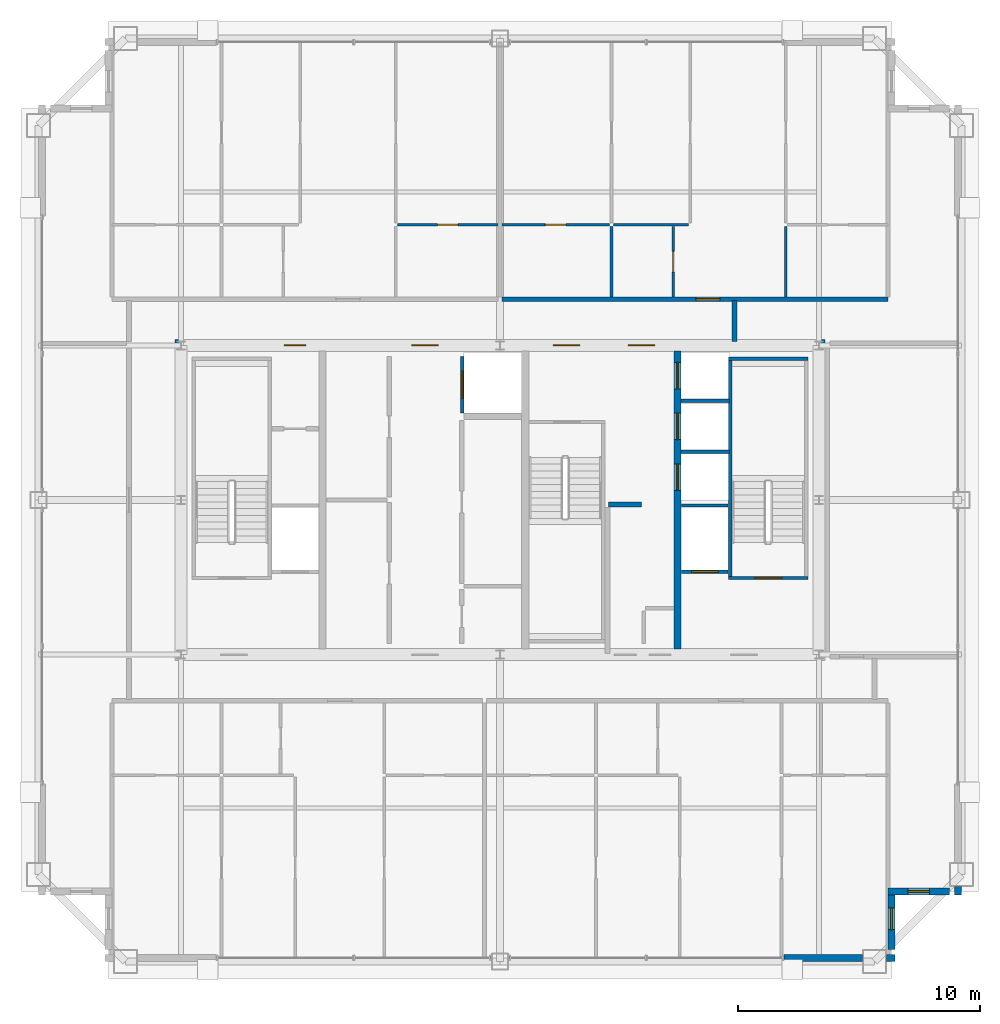
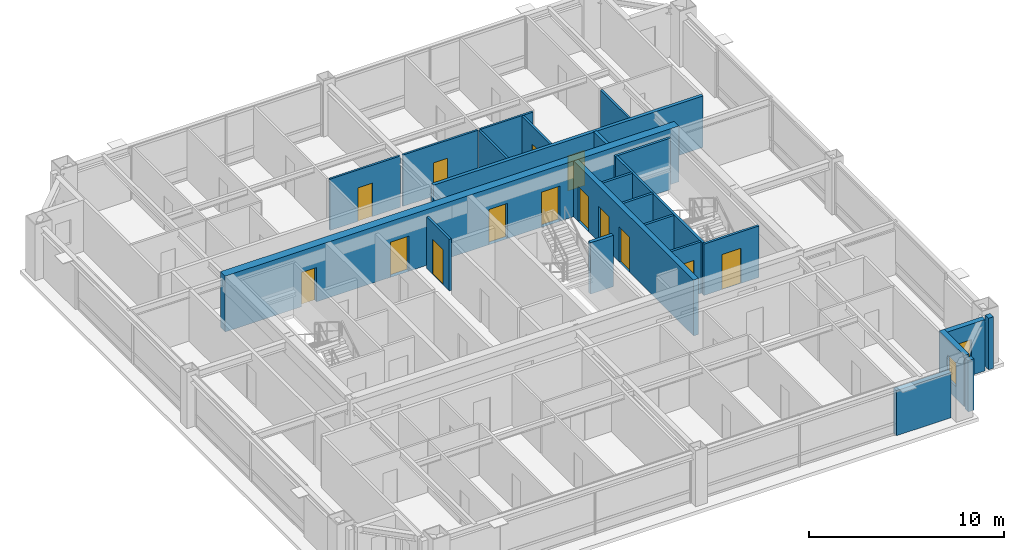
# One storey, part 32 of 35: 24 walls, 14 doors, 2 windows, 16 openings.
"""IFC4 building model written with IfcOpenShell, lengths in metres."""

import ifcopenshell
import ifcopenshell.guid

model = None  # the IFC model being written
_history = None  # IfcOwnerHistory: only IFC2X3 demands one
_inside = {}  # id of a spatial element -> (the spatial element, [elements in it])
_under = {}  # id of a project, library or spatial element -> (it, [spatial elements below it])
_declared = {}  # id of a project -> (the project, [libraries it declares])
_typed = {}  # id of a type object -> (the type object, [elements of that type])
_made_of = {}  # id of a material, layer set ... -> (it, [elements and type objects made of it])


def new_model(schema):
    """Start an empty IFC model of exactly this schema.

    Asked for "IFC4X3", IfcOpenShell would pick the latest addendum, in which some entities
    have other attributes; the version numbers below select the first issue.
    IFC2X3 requires an IfcOwnerHistory on every rooted entity: one is made here for all.
    """
    global model, _history
    if schema == "IFC4X3":
        model = ifcopenshell.file(schema_version=(4, 3, 0, 0))
    else:
        model = ifcopenshell.file(schema=schema)
    _inside.clear()
    _under.clear()
    _declared.clear()
    _typed.clear()
    _made_of.clear()
    _history = None
    if model.schema == "IFC2X3":
        org = make("IfcOrganization", Name="unknown")
        user = make(
            "IfcPersonAndOrganization",
            ThePerson=make("IfcPerson", FamilyName="unknown"),
            TheOrganization=org,
        )
        app = make(
            "IfcApplication",
            ApplicationDeveloper=org,
            Version="unknown",
            ApplicationFullName="unknown",
            ApplicationIdentifier="unknown",
        )
        _history = make(
            "IfcOwnerHistory",
            OwningUser=user,
            OwningApplication=app,
            ChangeAction="ADDED",
            CreationDate=0,
        )
    return model


def make(cls, **values):
    """One entity of the class cls with the attributes given. An attribute that is None is left unset."""
    return model.create_entity(
        cls, **{name: value for name, value in values.items() if value is not None}
    )


def rooted(cls, **values):
    """An entity with a GlobalId (a new one), such as an element, a storey or a relation."""
    return make(cls, GlobalId=ifcopenshell.guid.new(), OwnerHistory=_history, **values)


def si_unit(unit_type, name, prefix=None):
    """IfcSIUnit, for example si_unit("LENGTHUNIT", "METRE", prefix="MILLI")."""
    return make("IfcSIUnit", UnitType=unit_type, Prefix=prefix, Name=name)


def assignment(units):
    """IfcUnitAssignment: the units of a project."""
    return None if units is None else make("IfcUnitAssignment", Units=units)


def point(xyz):
    """IfcCartesianPoint."""
    return None if xyz is None else make("IfcCartesianPoint", Coordinates=xyz)


def direction(xyz):
    """IfcDirection."""
    return None if xyz is None else make("IfcDirection", DirectionRatios=xyz)


def frame(location, z_axis=None, x_axis=None):
    """IfcAxis2Placement3D, a coordinate frame: its origin and axes. An axis left out is left unset."""
    return make(
        "IfcAxis2Placement3D",
        Location=point(location),
        Axis=direction(z_axis),
        RefDirection=direction(x_axis),
    )


def frame_2d(location, x_axis=None):
    """IfcAxis2Placement2D, a coordinate frame in the plane: its origin and x axis."""
    return make(
        "IfcAxis2Placement2D", Location=point(location), RefDirection=direction(x_axis)
    )


def origin():
    """The frame at (0, 0, 0) with its axes left unset."""
    return frame((0.0, 0.0, 0.0))


def place(relative_to, where):
    """IfcLocalPlacement: puts the frame where relative to a parent placement (None: the world)."""
    return make(
        "IfcLocalPlacement", PlacementRelTo=relative_to, RelativePlacement=where
    )


def context(
    kind, dimensions, precision=None, world=None, true_north=None, identifier=None
):
    """IfcGeometricRepresentationContext, for example the 3D "Model" context."""
    return make(
        "IfcGeometricRepresentationContext",
        ContextIdentifier=identifier,
        ContextType=kind,
        CoordinateSpaceDimension=dimensions,
        Precision=precision,
        WorldCoordinateSystem=world,
        TrueNorth=true_north,
    )


def subcontext(parent, identifier, kind, view, scale=None):
    """IfcGeometricRepresentationSubContext, for example "Body" below "Model"."""
    return make(
        "IfcGeometricRepresentationSubContext",
        ContextIdentifier=identifier,
        ContextType=kind,
        ParentContext=parent,
        TargetScale=scale,
        TargetView=view,
    )


def project(units=None, contexts=None):
    """IfcProject with its units and contexts."""
    return rooted(
        "IfcProject",
        Name="project",
        RepresentationContexts=contexts,
        UnitsInContext=assignment(units),
    )


def spatial(cls, under=None, at=None, **own):
    """A site, building, storey or space (cls), placed at a placement, below another one or the project."""
    s = rooted(cls, ObjectPlacement=at, **own)
    if under is not None:
        _under.setdefault(under.id(), (under, []))[1].append(s)
    return s


def profile(cls, at=None, kind="AREA", **sizes):
    """A parametric profile (cls). Its sizes go by their IFC names, for example OverallWidth=200.0."""
    return make(cls, ProfileType=kind, Position=at, **sizes)


def rectangle(**sizes):
    """IfcRectangleProfileDef."""
    return profile("IfcRectangleProfileDef", **sizes)


def extrude(swept, where, along, depth):
    """IfcExtrudedAreaSolid: the profile swept, set in the frame where, extruded along a direction by depth."""
    return make(
        "IfcExtrudedAreaSolid",
        SweptArea=swept,
        Position=where,
        ExtrudedDirection=direction(along),
        Depth=depth,
    )


def shape(context_of_items, identifier, shape_type, items):
    """IfcShapeRepresentation: the items that make up one representation, for example the "Body"."""
    return make(
        "IfcShapeRepresentation",
        ContextOfItems=context_of_items,
        RepresentationIdentifier=identifier,
        RepresentationType=shape_type,
        Items=items,
    )


def source(mapping_origin, context_of_items, identifier, shape_type, items):
    """IfcRepresentationMap: a shape defined once, which mapped items show again and again."""
    return make(
        "IfcRepresentationMap",
        MappingOrigin=mapping_origin,
        MappedRepresentation=shape(context_of_items, identifier, shape_type, items),
    )


def transform(
    local_origin,
    x_axis=None,
    y_axis=None,
    z_axis=None,
    scale=None,
    scale2=None,
    scale3=None,
    uniform=True,
):
    """IfcCartesianTransformationOperator3D, or its non-uniform kind. x_axis, y_axis, z_axis: its Axis1, 2, 3."""
    if uniform:
        return make(
            "IfcCartesianTransformationOperator3D",
            Axis1=direction(x_axis),
            Axis2=direction(y_axis),
            LocalOrigin=point(local_origin),
            Scale=scale,
            Axis3=direction(z_axis),
        )
    return make(
        "IfcCartesianTransformationOperator3DnonUniform",
        Axis1=direction(x_axis),
        Axis2=direction(y_axis),
        LocalOrigin=point(local_origin),
        Scale=scale,
        Axis3=direction(z_axis),
        Scale2=scale2,
        Scale3=scale3,
    )


def mapped(mapping_source, mapping_target):
    """IfcMappedItem: shows the shape of a source again, moved by a transform."""
    return make(
        "IfcMappedItem", MappingSource=mapping_source, MappingTarget=mapping_target
    )


def material(Name=None, Category=None):
    """IfcMaterial."""
    return make("IfcMaterial", Name=Name, Category=Category)


def layer(
    of_material, thickness, ventilated=None, Name=None, Category=None, Priority=None
):
    """IfcMaterialLayer: one layer of a wall or slab, of a material (None: an air gap)."""
    return make(
        "IfcMaterialLayer",
        Material=of_material,
        LayerThickness=thickness,
        IsVentilated=ventilated,
        Name=Name,
        Category=Category,
        Priority=Priority,
    )


def layer_set(layers, Name=None):
    """IfcMaterialLayerSet."""
    return make("IfcMaterialLayerSet", MaterialLayers=layers, LayerSetName=Name)


def made_of(thing, what):
    """Note that an element or type object is made of a material, layer set ...; save() writes the relation."""
    if what is not None:
        _made_of.setdefault(what.id(), (what, []))[1].append(thing)
    return thing


def type_object(cls, material=None, **own):
    """A type object (cls), such as IfcWallType, which elements share."""
    return made_of(rooted(cls, **own), material)


def element(
    cls,
    number,
    at=None,
    inside=None,
    cuts=None,
    type_object=None,
    material=None,
    context=None,
    identifier="Body",
    shape_type=None,
    held_by="IfcProductDefinitionShape",
    body=None,
    shapes=None,
    **own,
):
    """One element of the class cls, such as IfcWall. Its Tag is "e" and its number.

    at: its placement. inside: the storey or other place that contains it. cuts: it is an
    opening in that element (IfcRelVoidsElement). A single representation is given by context,
    identifier, shape_type and body (its items); several are given by shapes. held_by: the class
    of the entity that holds the representations. save() writes the other relations.
    """
    e = rooted(cls, Tag="e%d" % number, ObjectPlacement=at, **own)
    if body is not None:
        shapes = [shape(context, identifier, shape_type, body)]
    if shapes is not None:
        e.Representation = make(held_by, Representations=shapes)
    if inside is not None:
        _inside.setdefault(inside.id(), (inside, []))[1].append(e)
    if cuts is not None:
        rooted(
            "IfcRelVoidsElement", RelatingBuildingElement=cuts, RelatedOpeningElement=e
        )
    if type_object is not None:
        _typed.setdefault(type_object.id(), (type_object, []))[1].append(e)
    return made_of(e, material)


def fill(opening, filler):
    """IfcRelFillsElement: the door or window that sits in an opening."""
    return rooted(
        "IfcRelFillsElement",
        RelatingOpeningElement=opening,
        RelatedBuildingElement=filler,
    )


def aggregate(whole, parts):
    """IfcRelAggregates: a whole, such as a stair, and the parts it consists of."""
    return rooted("IfcRelAggregates", RelatingObject=whole, RelatedObjects=parts)


def save(model, path):
    """Write the relations noted so far, then the file.

    IfcRelAggregates (storeys below a building ...), IfcRelContainedInSpatialStructure (elements
    in a storey), IfcRelDefinesByType, IfcRelAssociatesMaterial and IfcRelDeclares: one each for
    every whole, place, type object, material and project.
    """
    for whole, parts in _under.values():
        aggregate(whole, parts)
    for where, things in _inside.values():
        rooted(
            "IfcRelContainedInSpatialStructure",
            RelatedElements=things,
            RelatingStructure=where,
        )
    for kind, things in _typed.values():
        rooted("IfcRelDefinesByType", RelatedObjects=things, RelatingType=kind)
    for what, things in _made_of.values():
        rooted("IfcRelAssociatesMaterial", RelatedObjects=things, RelatingMaterial=what)
    for by, libraries in _declared.values():
        rooted("IfcRelDeclares", RelatingContext=by, RelatedDefinitions=libraries)
    model.write(path)


model = new_model("IFC4")

# Units and contexts
model_context = context("Model", 3, precision=1e-05, world=origin(), true_north=direction((0.0, 1.0)))
body_context = subcontext(model_context, "Body", "Model", "MODEL_VIEW")
ifc_project = project(units=[si_unit("LENGTHUNIT", "METRE"), si_unit("AREAUNIT", "SQUARE_METRE"), si_unit("VOLUMEUNIT", "CUBIC_METRE"), si_unit("PLANEANGLEUNIT", "RADIAN"), si_unit("MASSUNIT", "GRAM", prefix="KILO"), si_unit("THERMODYNAMICTEMPERATUREUNIT", "KELVIN"), si_unit("POWERUNIT", "WATT")], contexts=[model_context])

# Site, building, storey
site_placement = place(None, origin())
site = spatial("IfcSite", under=ifc_project, at=site_placement, CompositionType="ELEMENT")
building_placement = place(site_placement, origin())
building = spatial("IfcBuilding", under=site, at=building_placement, Name="Yuzanri Waterfront Tower", CompositionType="ELEMENT")
storey_placement = place(building_placement, frame((0.0, 0.0, 303.10009765625)))
storey = spatial("IfcBuildingStorey", under=building, at=storey_placement, Name="L81", CompositionType="ELEMENT", Elevation=303.10009765625)

# Wall, opening, door
ifc_material_1 = material(Name="Moisture-Resistant Gypsum Stud Wall", Category="gypsum")
ifc_layer_1 = layer(ifc_material_1, 0.1201171875)
ifc_layer_set_1 = layer_set([ifc_layer_1], Name="Moisture-Resistant Gypsum Stud Wall")
wall_type_1 = type_object("IfcWallType", Name="Bathroom and Kitchen Wet Partition 120", PredefinedType="PARTITIONING", material=ifc_layer_set_1)
wall_1_placement = place(storey_placement, frame((32.764892578125, 37.18994140625, 0.0), z_axis=(0.0, 0.0, 1.0), x_axis=(1.0, 0.0, 0.0)))
wall_1 = element("IfcWall", 1, at=wall_1_placement, inside=storey, type_object=wall_type_1, Name="L81 Partition UW-L81-HN1-SUB-3-N", PredefinedType="PARTITIONING", context=body_context, shape_type="SweptSolid", body=[
    extrude(rectangle(XDim=4.155029296875, YDim=0.1201171875, at=frame_2d((2.07763671875, 0.0))), origin(), (0.0, 0.0, 1.0), 3.219970703125),
])
opening_1_placement = place(wall_1_placement, frame((1.652587890625, 0.0, 0.0)))
opening_1 = element("IfcOpeningElement", 2, at=opening_1_placement, cuts=wall_1, Name="Opening ID-0850", PredefinedType="OPENING", context=body_context, shape_type="SweptSolid", body=[
    extrude(rectangle(XDim=0.85009765625, YDim=2.10009765625, at=frame_2d((0.425048828125, 1.050048828125))), frame((0.0, 0.074951171875, 0.0), z_axis=(0.0, -1.0, 0.0), x_axis=(1.0, 0.0, 0.0)), (0.0, 0.0, 1.0), 0.14990234375),
])
ifc_material_2 = material(Name="Moisture-Resistant Lacquered Timber", Category="wood")
door_type_1 = type_object("IfcDoorType", Name="En-Suite Bathroom and Kitchen Swing Door 850x2100", OperationType="NOTDEFINED", PredefinedType="DOOR", material=ifc_material_2)
shared_shape_1 = source(origin(), body_context, "Body", "SweptSolid", [
    extrude(rectangle(XDim=0.85009765625, YDim=2.10009765625, at=frame_2d((0.425048828125, 1.050048828125))), frame((0.0, 0.02490234375, 0.0), z_axis=(0.0, -1.0, 0.0), x_axis=(1.0, 0.0, 0.0)), (0.0, 0.0, 1.0), 0.050048828125),
])
door_1_placement = place(opening_1_placement, origin())
door_1 = element("IfcDoor", 3, at=door_1_placement, inside=storey, type_object=door_type_1, Name="L81 Suite Interior Room Door", OperationType="SINGLE_SWING_LEFT", OverallHeight=2.10009765625, OverallWidth=0.85009765625, PredefinedType="DOOR", context=body_context, shape_type="MappedRepresentation", body=[
    mapped(shared_shape_1, transform((0.0, 0.0, 0.0), scale=1.0)),
])
fill(opening_1, door_1)

wall_2_placement = place(storey_placement, frame((37.080078125, 37.18994140625, 0.0), z_axis=(0.0, 0.0, 1.0), x_axis=(1.0, 0.0, 0.0)))
wall_2 = element("IfcWall", 4, at=wall_2_placement, inside=storey, type_object=wall_type_1, Name="L81 Partition UW-L81-HN2-SUB-1-N", PredefinedType="PARTITIONING", context=body_context, shape_type="SweptSolid", body=[
    extrude(rectangle(XDim=4.449951171875, YDim=0.1201171875, at=frame_2d((2.22509765625, 0.0))), origin(), (0.0, 0.0, 1.0), 3.219970703125),
])
opening_2_placement = place(wall_2_placement, frame((1.800048828125, 0.0, 0.0)))
opening_2 = element("IfcOpeningElement", 5, at=opening_2_placement, cuts=wall_2, Name="Opening ID-0850", PredefinedType="OPENING", context=body_context, shape_type="SweptSolid", body=[
    extrude(rectangle(XDim=0.85009765625, YDim=2.10009765625, at=frame_2d((0.425048828125, 1.050048828125))), frame((0.0, 0.074951171875, 0.0), z_axis=(0.0, -1.0, 0.0), x_axis=(1.0, 0.0, 0.0)), (0.0, 0.0, 1.0), 0.14990234375),
])
door_2_placement = place(opening_2_placement, origin())
door_2 = element("IfcDoor", 6, at=door_2_placement, inside=storey, type_object=door_type_1, Name="L81 Suite Interior Room Door", OperationType="SINGLE_SWING_RIGHT", OverallHeight=2.10009765625, OverallWidth=0.85009765625, PredefinedType="DOOR", context=body_context, shape_type="MappedRepresentation", body=[
    mapped(shared_shape_1, transform((0.0, 0.0, 0.0), scale=1.0)),
])
fill(opening_2, door_2)

wall_3_placement = place(storey_placement, frame((44.169921875, 34.2099609375, 0.0), z_axis=(0.0, 0.0, 1.0), x_axis=(0.0, 1.0, 0.0)))
wall_3 = element("IfcWall", 7, at=wall_3_placement, inside=storey, type_object=wall_type_1, Name="L81 Partition UW-L81-HN2-SUB-2-E", PredefinedType="PARTITIONING", context=body_context, shape_type="SweptSolid", body=[
    extrude(rectangle(XDim=2.900146484375, YDim=0.1201171875, at=frame_2d((1.4501953125, 0.0))), origin(), (0.0, 0.0, 1.0), 3.219970703125),
])
opening_3_placement = place(wall_3_placement, frame((1.02490234375, 0.0, 0.0)))
opening_3 = element("IfcOpeningElement", 8, at=opening_3_placement, cuts=wall_3, Name="Opening ID-0850", PredefinedType="OPENING", context=body_context, shape_type="SweptSolid", body=[
    extrude(rectangle(XDim=0.85009765625, YDim=2.10009765625, at=frame_2d((0.425048828125, 1.050048828125))), frame((0.0, 0.074951171875, 0.0), z_axis=(0.0, -1.0, 0.0), x_axis=(1.0, 0.0, 0.0)), (0.0, 0.0, 1.0), 0.14990234375),
])
door_3_placement = place(opening_3_placement, origin())
door_3 = element("IfcDoor", 9, at=door_3_placement, inside=storey, type_object=door_type_1, Name="L81 Suite Interior Room Door", OperationType="SINGLE_SWING_LEFT", OverallHeight=2.10009765625, OverallWidth=0.85009765625, PredefinedType="DOOR", context=body_context, shape_type="MappedRepresentation", body=[
    mapped(shared_shape_1, transform((0.0, 0.0, 0.0), scale=1.0)),
])
fill(opening_3, door_3)

# Wall, opening, window
ifc_material_3 = material(Name="Honed Chongqing Dark Basalt Stone", Category="masonry")
ifc_layer_2 = layer(ifc_material_3, 0.300048828125)
ifc_layer_set_2 = layer_set([ifc_layer_2], Name="Honed Chongqing Dark Basalt Stone")
wall_type_2 = type_object("IfcWallType", Name="Bronze Rainscreen Insulated Spandrel Portal Wall 300", PredefinedType="SOLIDWALL", material=ifc_layer_set_2)
wall_4_placement = place(storey_placement, frame((53.050048828125, 9.60009765625, 0.0), z_axis=(0.0, 0.0, 1.0), x_axis=(1.0, 0.0, 0.0)))
wall_4 = element("IfcWall", 10, at=wall_4_placement, inside=storey, type_object=wall_type_2, Name="L81 Notched Corner Masonry Wall SE-X", PredefinedType="SOLIDWALL", context=body_context, shape_type="SweptSolid", body=[
    extrude(rectangle(XDim=2.550048828125, YDim=0.300048828125, at=frame_2d((1.27490234375, 0.0))), origin(), (0.0, 0.0, 1.0), 3.219970703125),
])
opening_4_placement = place(wall_4_placement, frame((0.824951171875, 0.0, 0.75)))
opening_4 = element("IfcOpeningElement", 11, at=opening_4_placement, cuts=wall_4, Name="Opening WN-05", PredefinedType="OPENING", context=body_context, shape_type="SweptSolid", body=[
    extrude(rectangle(XDim=0.89990234375, YDim=1.5, at=frame_2d((0.449951171875, 0.75))), frame((0.0, 0.1650390625, 0.0), z_axis=(0.0, -1.0, 0.0), x_axis=(1.0, 0.0, 0.0)), (0.0, 0.0, 1.0), 0.329833984375),
])
ifc_material_4 = material(Name="Double-Silver Low-E Insulated Glass", Category="glass")
window_type = type_object("IfcWindowType", Name="Anodized Bronze Service and Stairwell Smoke-Vent Window 900x1500", PartitioningType="SINGLE_PANEL", PredefinedType="WINDOW", material=ifc_material_4)
shared_shape_2 = source(origin(), body_context, "Body", "SweptSolid", [
    extrude(rectangle(XDim=0.89990234375, YDim=1.5, at=frame_2d((0.449951171875, 0.75))), frame((0.0, 0.030029296875, 0.0), z_axis=(0.0, -1.0, 0.0), x_axis=(1.0, 0.0, 0.0)), (0.0, 0.0, 1.0), 0.06005859375),
])
window_1_placement = place(opening_4_placement, origin())
window_1 = element("IfcWindow", 12, at=window_1_placement, inside=storey, type_object=window_type, Name="L81 Notched Corner Window SE-X", OverallHeight=1.5, OverallWidth=0.89990234375, PartitioningType="SINGLE_PANEL", PredefinedType="WINDOW", context=body_context, shape_type="MappedRepresentation", body=[
    mapped(shared_shape_2, transform((0.0, 0.0, 0.0), scale=1.0)),
])
fill(opening_4, window_1)

wall_5_placement = place(storey_placement, frame((53.199951171875, 7.199951171875, 0.0), z_axis=(0.0, 0.0, 1.0), x_axis=(0.0, 1.0, 0.0)))
wall_5 = element("IfcWall", 13, at=wall_5_placement, inside=storey, type_object=wall_type_2, Name="L81 Notched Corner Masonry Wall SE-Y", PredefinedType="SOLIDWALL", context=body_context, shape_type="SweptSolid", body=[
    extrude(rectangle(XDim=2.550048828125, YDim=0.300048828125, at=frame_2d((1.27490234375, 0.0))), origin(), (0.0, 0.0, 1.0), 3.219970703125),
])
opening_5_placement = place(wall_5_placement, frame((0.824951171875, 0.0, 0.75)))
opening_5 = element("IfcOpeningElement", 14, at=opening_5_placement, cuts=wall_5, Name="Opening WN-05", PredefinedType="OPENING", context=body_context, shape_type="SweptSolid", body=[
    extrude(rectangle(XDim=0.89990234375, YDim=1.5, at=frame_2d((0.449951171875, 0.75))), frame((0.0, 0.1650390625, 0.0), z_axis=(0.0, -1.0, 0.0), x_axis=(1.0, 0.0, 0.0)), (0.0, 0.0, 1.0), 0.329833984375),
])
window_2_placement = place(opening_5_placement, origin())
window_2 = element("IfcWindow", 15, at=window_2_placement, inside=storey, type_object=window_type, Name="L81 Notched Corner Window SE-Y", OverallHeight=1.5, OverallWidth=0.89990234375, PartitioningType="SINGLE_PANEL", PredefinedType="WINDOW", context=body_context, shape_type="MappedRepresentation", body=[
    mapped(shared_shape_2, transform((0.0, 0.0, 0.0), scale=1.0)),
])
fill(opening_5, window_2)

# Wall, openings, doors
ifc_material_5 = material(Name="Concrete C45", Category="concrete")
ifc_layer_3 = layer(ifc_material_5, 0.47998046875)
ifc_layer_set_3 = layer_set([ifc_layer_3], Name="Concrete C45")
wall_type_3 = type_object("IfcWallType", Name="Concrete C45 High-Rise Core Shear Wall 480", PredefinedType="SHEAR", material=ifc_layer_set_3)
wall_6_placement = place(storey_placement, frame((23.56005859375, 32.199951171875, 0.0), z_axis=(0.0, 0.0, 1.0), x_axis=(1.0, 0.0, 0.0)))
wall_6 = element("IfcWall", 16, at=wall_6_placement, inside=storey, type_object=wall_type_3, Name="L81 Core North Shear Wall", PredefinedType="SHEAR", context=body_context, shape_type="SweptSolid", body=[
    extrude(rectangle(XDim=26.8798828125, YDim=0.47998046875, at=frame_2d((13.43994140625, 0.0))), origin(), (0.0, 0.0, 1.0), 3.5),
])
opening_6_placement = place(wall_6_placement, frame((4.510009765625, 0.0, 0.0)))
opening_6 = element("IfcOpeningElement", 17, at=opening_6_placement, cuts=wall_6, Name="Opening FD-0900", PredefinedType="OPENING", context=body_context, shape_type="SweptSolid", body=[
    extrude(rectangle(XDim=0.89990234375, YDim=2.14990234375, at=frame_2d((0.449951171875, 1.074951171875))), frame((0.0, 0.2548828125, 0.0), z_axis=(0.0, -1.0, 0.0), x_axis=(1.0, 0.0, 0.0)), (0.0, 0.0, 1.0), 0.509765625),
])
opening_7_placement = place(wall_6_placement, frame((9.7900390625, 0.0, 0.0)))
opening_7 = element("IfcOpeningElement", 18, at=opening_7_placement, cuts=wall_6, Name="Opening FD-1100", PredefinedType="OPENING", context=body_context, shape_type="SweptSolid", body=[
    extrude(rectangle(XDim=1.10009765625, YDim=2.199951171875, at=frame_2d((0.550048828125, 1.10009765625))), frame((0.0, 0.2548828125, 0.0), z_axis=(0.0, -1.0, 0.0), x_axis=(1.0, 0.0, 0.0)), (0.0, 0.0, 1.0), 0.509765625),
])
opening_8_placement = place(wall_6_placement, frame((15.639892578125, 0.0, 0.0)))
opening_8 = element("IfcOpeningElement", 19, at=opening_8_placement, cuts=wall_6, Name="Opening FD-1100", PredefinedType="OPENING", context=body_context, shape_type="SweptSolid", body=[
    extrude(rectangle(XDim=1.10009765625, YDim=2.199951171875, at=frame_2d((0.550048828125, 1.10009765625))), frame((0.0, 0.2548828125, 0.0), z_axis=(0.0, -1.0, 0.0), x_axis=(1.0, 0.0, 0.0)), (0.0, 0.0, 1.0), 0.509765625),
])
opening_9_placement = place(wall_6_placement, frame((18.739990234375, 0.0, 0.0)))
opening_9 = element("IfcOpeningElement", 20, at=opening_9_placement, cuts=wall_6, Name="Opening FD-1100", PredefinedType="OPENING", context=body_context, shape_type="SweptSolid", body=[
    extrude(rectangle(XDim=1.10009765625, YDim=2.199951171875, at=frame_2d((0.550048828125, 1.10009765625))), frame((0.0, 0.2548828125, 0.0), z_axis=(0.0, -1.0, 0.0), x_axis=(1.0, 0.0, 0.0)), (0.0, 0.0, 1.0), 0.509765625),
])
ifc_material_6 = material(Name="Painted Galvanized Fire Steel", Category="steel")
door_type_2 = type_object("IfcDoorType", Name="Smoke-Proof Stair and Lobby Fire Door 1100x2200", OperationType="NOTDEFINED", PredefinedType="DOOR", material=ifc_material_6)
shared_shape_3 = source(origin(), body_context, "Body", "SweptSolid", [
    extrude(rectangle(XDim=1.10009765625, YDim=2.199951171875, at=frame_2d((0.550048828125, 1.10009765625))), frame((0.0, 0.02490234375, 0.0), z_axis=(0.0, -1.0, 0.0), x_axis=(1.0, 0.0, 0.0)), (0.0, 0.0, 1.0), 0.050048828125),
])
door_4_placement = place(opening_7_placement, origin())
door_4 = element("IfcDoor", 21, at=door_4_placement, inside=storey, type_object=door_type_2, Name="L81 Central Lift Lobby North Door", OperationType="SINGLE_SWING_LEFT", OverallHeight=2.199951171875, OverallWidth=1.10009765625, PredefinedType="DOOR", context=body_context, shape_type="MappedRepresentation", body=[
    mapped(shared_shape_3, transform((0.0, 0.0, 0.0), scale=1.0)),
])
fill(opening_7, door_4)
door_5_placement = place(opening_8_placement, origin())
door_5 = element("IfcDoor", 22, at=door_5_placement, inside=storey, type_object=door_type_2, Name="L81 North Stair Lobby Door", OperationType="SINGLE_SWING_RIGHT", OverallHeight=2.199951171875, OverallWidth=1.10009765625, PredefinedType="DOOR", context=body_context, shape_type="MappedRepresentation", body=[
    mapped(shared_shape_3, transform((0.0, 0.0, 0.0), scale=1.0)),
])
fill(opening_8, door_5)
door_6_placement = place(opening_9_placement, origin())
door_6 = element("IfcDoor", 23, at=door_6_placement, inside=storey, type_object=door_type_2, Name="L81 High-Rise Lift Lobby North Door", OperationType="SINGLE_SWING_LEFT", OverallHeight=2.199951171875, OverallWidth=1.10009765625, PredefinedType="DOOR", context=body_context, shape_type="MappedRepresentation", body=[
    mapped(shared_shape_3, transform((0.0, 0.0, 0.0), scale=1.0)),
])
fill(opening_9, door_6)
ifc_material_7 = material(Name="Painted Galvanized Fire Steel", Category="steel")
door_type_3 = type_object("IfcDoorType", Name="Riser and Service Room Fire Door 900x2150", OperationType="NOTDEFINED", PredefinedType="DOOR", material=ifc_material_7)
shared_shape_4 = source(origin(), body_context, "Body", "SweptSolid", [
    extrude(rectangle(XDim=0.89990234375, YDim=2.14990234375, at=frame_2d((0.449951171875, 1.074951171875))), frame((0.0, 0.02490234375, 0.0), z_axis=(0.0, -1.0, 0.0), x_axis=(1.0, 0.0, 0.0)), (0.0, 0.0, 1.0), 0.050048828125),
])
door_7_placement = place(opening_6_placement, origin())
door_7 = element("IfcDoor", 24, at=door_7_placement, inside=storey, type_object=door_type_3, Name="L81 Telecom Riser Door", OperationType="SINGLE_SWING_RIGHT", OverallHeight=2.14990234375, OverallWidth=0.89990234375, PredefinedType="DOOR", context=body_context, shape_type="MappedRepresentation", body=[
    mapped(shared_shape_4, transform((0.0, 0.0, 0.0), scale=1.0)),
])
fill(opening_6, door_7)

ifc_material_8 = material(Name="Concrete C50", Category="concrete")
ifc_layer_4 = layer(ifc_material_8, 0.300048828125)
ifc_layer_set_4 = layer_set([ifc_layer_4], Name="Concrete C50")
wall_type_4 = type_object("IfcWallType", Name="Concrete C50 Internal Core Shaft Structural Wall 300", PredefinedType="SOLIDWALL", material=ifc_layer_set_4)
wall_7_placement = place(storey_placement, frame((44.35009765625, 19.639892578125, 0.0), z_axis=(0.0, 0.0, 1.0), x_axis=(0.0, 1.0, 0.0)))
wall_7 = element("IfcWall", 25, at=wall_7_placement, inside=storey, type_object=wall_type_4, Name="L81 Core Internal Structural Web Wall 3", PredefinedType="SOLIDWALL", context=body_context, shape_type="SweptSolid", body=[
    extrude(rectangle(XDim=12.320068359375, YDim=0.300048828125, at=frame_2d((6.16015625, 0.0))), origin(), (0.0, 0.0, 1.0), 3.5),
])
opening_10_placement = place(wall_7_placement, frame((6.56005859375, 0.0, 0.0)))
opening_10 = element("IfcOpeningElement", 26, at=opening_10_placement, cuts=wall_7, Name="Opening LD-PL-09", PredefinedType="OPENING", context=body_context, shape_type="SweptSolid", body=[
    extrude(rectangle(XDim=1.10009765625, YDim=2.199951171875, at=frame_2d((0.550048828125, 1.10009765625))), frame((0.0, 0.1650390625, 0.0), z_axis=(0.0, -1.0, 0.0), x_axis=(1.0, 0.0, 0.0)), (0.0, 0.0, 1.0), 0.329833984375),
])
opening_11_placement = place(wall_7_placement, frame((8.659912109375, 0.0, 0.0)))
opening_11 = element("IfcOpeningElement", 27, at=opening_11_placement, cuts=wall_7, Name="Opening LD-PL-10", PredefinedType="OPENING", context=body_context, shape_type="SweptSolid", body=[
    extrude(rectangle(XDim=1.10009765625, YDim=2.199951171875, at=frame_2d((0.550048828125, 1.10009765625))), frame((0.0, 0.1650390625, 0.0), z_axis=(0.0, -1.0, 0.0), x_axis=(1.0, 0.0, 0.0)), (0.0, 0.0, 1.0), 0.329833984375),
])
opening_12_placement = place(wall_7_placement, frame((10.760009765625, 0.0, 0.0)))
opening_12 = element("IfcOpeningElement", 28, at=opening_12_placement, cuts=wall_7, Name="Opening LD-PL-11", PredefinedType="OPENING", context=body_context, shape_type="SweptSolid", body=[
    extrude(rectangle(XDim=1.10009765625, YDim=2.199951171875, at=frame_2d((0.550048828125, 1.10009765625))), frame((0.0, 0.1650390625, 0.0), z_axis=(0.0, -1.0, 0.0), x_axis=(1.0, 0.0, 0.0)), (0.0, 0.0, 1.0), 0.329833984375),
])
ifc_material_9 = material(Name="Brushed Bronze and Stainless Steel Cab", Category="steel")
door_type_4 = type_object("IfcDoorType", Name="Center-Parting Bronze Lift Landing Sliding Door 1100x2200", OperationType="NOTDEFINED", PredefinedType="DOOR", material=ifc_material_9)
shared_shape_5 = source(origin(), body_context, "Body", "SweptSolid", [
    extrude(rectangle(XDim=1.10009765625, YDim=2.199951171875, at=frame_2d((0.550048828125, 1.10009765625))), frame((0.0, 0.02490234375, 0.0), z_axis=(0.0, -1.0, 0.0), x_axis=(1.0, 0.0, 0.0)), (0.0, 0.0, 1.0), 0.050048828125),
])
door_8_placement = place(opening_10_placement, origin())
door_8 = element("IfcDoor", 29, at=door_8_placement, inside=storey, type_object=door_type_4, Name="L81 PL-09 Lift Landing Sliding Door", OperationType="SLIDING_TO_LEFT", OverallHeight=2.199951171875, OverallWidth=1.10009765625, PredefinedType="DOOR", context=body_context, shape_type="MappedRepresentation", body=[
    mapped(shared_shape_5, transform((0.0, 0.0, 0.0), scale=1.0)),
])
fill(opening_10, door_8)
door_9_placement = place(opening_11_placement, origin())
door_9 = element("IfcDoor", 30, at=door_9_placement, inside=storey, type_object=door_type_4, Name="L81 PL-10 Lift Landing Sliding Door", OperationType="SLIDING_TO_RIGHT", OverallHeight=2.199951171875, OverallWidth=1.10009765625, PredefinedType="DOOR", context=body_context, shape_type="MappedRepresentation", body=[
    mapped(shared_shape_5, transform((0.0, 0.0, 0.0), scale=1.0)),
])
fill(opening_11, door_9)
door_10_placement = place(opening_12_placement, origin())
door_10 = element("IfcDoor", 31, at=door_10_placement, inside=storey, type_object=door_type_4, Name="L81 PL-11 Lift Landing Sliding Door", OperationType="SLIDING_TO_LEFT", OverallHeight=2.199951171875, OverallWidth=1.10009765625, PredefinedType="DOOR", context=body_context, shape_type="MappedRepresentation", body=[
    mapped(shared_shape_5, transform((0.0, 0.0, 0.0), scale=1.0)),
])
fill(opening_12, door_10)

# Wall, opening, door
ifc_material_10 = material(Name="Concrete C40", Category="concrete")
ifc_layer_5 = layer(ifc_material_10, 0.139892578125)
ifc_layer_set_5 = layer_set([ifc_layer_5], Name="Concrete C40")
wall_type_5 = type_object("IfcWallType", Name="Core Stair Liner and Hoistway Shaft Wall 140", PredefinedType="SOLIDWALL", material=ifc_layer_set_5)
wall_8_placement = place(storey_placement, frame((44.52001953125, 22.830078125, 0.0), z_axis=(0.0, 0.0, 1.0), x_axis=(1.0, 0.0, 0.0)))
wall_8 = element("IfcWall", 32, at=wall_8_placement, inside=storey, type_object=wall_type_5, Name="L81 Lift FL-02 Front Shaft Wall", PredefinedType="SOLIDWALL", context=body_context, shape_type="SweptSolid", body=[
    extrude(rectangle(XDim=1.919921875, YDim=0.139892578125, at=frame_2d((0.9599609375, 0.0))), origin(), (0.0, 0.0, 1.0), 3.219970703125),
])
opening_13_placement = place(wall_8_placement, frame((0.409912109375, 0.0, 0.0)))
opening_13 = element("IfcOpeningElement", 33, at=opening_13_placement, cuts=wall_8, Name="Opening LD-FL-02", PredefinedType="OPENING", context=body_context, shape_type="SweptSolid", body=[
    extrude(rectangle(XDim=1.10009765625, YDim=2.199951171875, at=frame_2d((0.550048828125, 1.10009765625))), frame((0.0, 0.0849609375, 0.0), z_axis=(0.0, -1.0, 0.0), x_axis=(1.0, 0.0, 0.0)), (0.0, 0.0, 1.0), 0.169677734375),
])
door_11_placement = place(opening_13_placement, origin())
door_11 = element("IfcDoor", 34, at=door_11_placement, inside=storey, type_object=door_type_4, Name="L81 FL-02 Lift Landing Sliding Door", OperationType="SLIDING_TO_RIGHT", OverallHeight=2.199951171875, OverallWidth=1.10009765625, PredefinedType="DOOR", context=body_context, shape_type="MappedRepresentation", body=[
    mapped(shared_shape_5, transform((0.0, 0.0, 0.0), scale=1.0)),
])
fill(opening_13, door_11)

wall_9_placement = place(storey_placement, frame((35.429931640625, 29.39990234375, 0.0), z_axis=(0.0, 0.0, 1.0), x_axis=(0.0, 1.0, 0.0)))
wall_9 = element("IfcWall", 35, at=wall_9_placement, inside=storey, type_object=wall_type_5, Name="L81 Lift SL-02 Front Shaft Wall", PredefinedType="SOLIDWALL", context=body_context, shape_type="SweptSolid", body=[
    extrude(rectangle(XDim=2.340087890625, YDim=0.139892578125, at=frame_2d((1.169921875, 0.0))), origin(), (0.0, 0.0, 1.0), 3.219970703125),
])
opening_14_placement = place(wall_9_placement, frame((0.6201171875, 0.0, 0.0)))
opening_14 = element("IfcOpeningElement", 36, at=opening_14_placement, cuts=wall_9, Name="Opening LD-SL-02", PredefinedType="OPENING", context=body_context, shape_type="SweptSolid", body=[
    extrude(rectangle(XDim=1.10009765625, YDim=2.199951171875, at=frame_2d((0.550048828125, 1.10009765625))), frame((0.0, 0.0849609375, 0.0), z_axis=(0.0, -1.0, 0.0), x_axis=(1.0, 0.0, 0.0)), (0.0, 0.0, 1.0), 0.169677734375),
])
door_12_placement = place(opening_14_placement, origin())
door_12 = element("IfcDoor", 37, at=door_12_placement, inside=storey, type_object=door_type_4, Name="L81 SL-02 Lift Landing Sliding Door", OperationType="SLIDING_TO_RIGHT", OverallHeight=2.199951171875, OverallWidth=1.10009765625, PredefinedType="DOOR", context=body_context, shape_type="MappedRepresentation", body=[
    mapped(shared_shape_5, transform((0.0, 0.0, 0.0), scale=1.0)),
])
fill(opening_14, door_12)

wall_10_placement = place(storey_placement, frame((46.4599609375, 22.570068359375, 0.0), z_axis=(0.0, 0.0, 1.0), x_axis=(1.0, 0.0, 0.0)))
wall_10 = element("IfcWall", 38, at=wall_10_placement, inside=storey, type_object=wall_type_5, Name="L81 Shaft Wall STW-L81-ST-02-S", PredefinedType="SOLIDWALL", context=body_context, shape_type="SweptSolid", body=[
    extrude(rectangle(XDim=3.280029296875, YDim=0.139892578125, at=frame_2d((1.64013671875, 0.0))), origin(), (0.0, 0.0, 1.0), 3.219970703125),
])
opening_15_placement = place(wall_10_placement, frame((1.090087890625, 0.0, 0.0)))
opening_15 = element("IfcOpeningElement", 39, at=opening_15_placement, cuts=wall_10, Name="Opening FD-1100", PredefinedType="OPENING", context=body_context, shape_type="SweptSolid", body=[
    extrude(rectangle(XDim=1.10009765625, YDim=2.199951171875, at=frame_2d((0.550048828125, 1.10009765625))), frame((0.0, 0.0849609375, 0.0), z_axis=(0.0, -1.0, 0.0), x_axis=(1.0, 0.0, 0.0)), (0.0, 0.0, 1.0), 0.169677734375),
])
door_13_placement = place(opening_15_placement, origin())
door_13 = element("IfcDoor", 40, at=door_13_placement, inside=storey, type_object=door_type_2, Name="L81 Stair ST-02 Fire Door", OperationType="SINGLE_SWING_LEFT", OverallHeight=2.199951171875, OverallWidth=1.10009765625, PredefinedType="DOOR", context=body_context, shape_type="MappedRepresentation", body=[
    mapped(shared_shape_3, transform((0.0, 0.0, 0.0), scale=1.0)),
])
fill(opening_15, door_13)

ifc_material_11 = material(Name="Autoclaved Aerated Concrete Blockwork", Category="masonry")
ifc_layer_6 = layer(ifc_material_11, 0.199951171875)
ifc_layer_set_6 = layer_set([ifc_layer_6], Name="Autoclaved Aerated Concrete Blockwork")
wall_type_6 = type_object("IfcWallType", Name="Corridor and Unit Party Fire Wall 200", PredefinedType="PARTITIONING", material=ifc_layer_set_6)
wall_11_placement = place(storey_placement, frame((37.080078125, 34.110107421875, 0.0), z_axis=(0.0, 0.0, 1.0), x_axis=(1.0, 0.0, 0.0)))
wall_11 = element("IfcWall", 41, at=wall_11_placement, inside=storey, type_object=wall_type_6, Name="L81 Partition UW-L81-HN2-CS", PredefinedType="PARTITIONING", context=body_context, shape_type="SweptSolid", body=[
    extrude(rectangle(XDim=15.97998046875, YDim=0.199951171875, at=frame_2d((7.989990234375, 0.0))), origin(), (0.0, 0.0, 1.0), 3.219970703125),
])
opening_16_placement = place(wall_11_placement, frame((8.02197265625, 0.0, 0.0)))
opening_16 = element("IfcOpeningElement", 42, at=opening_16_placement, cuts=wall_11, Name="Opening FD-1000", PredefinedType="OPENING", context=body_context, shape_type="SweptSolid", body=[
    extrude(rectangle(XDim=1.0, YDim=2.199951171875, at=frame_2d((0.5, 1.10009765625))), frame((0.0, 0.11474609375, 0.0), z_axis=(0.0, -1.0, 0.0), x_axis=(1.0, 0.0, 0.0)), (0.0, 0.0, 1.0), 0.229736328125),
])
ifc_material_12 = material(Name="Engineered Oak Fire-Rated Timber", Category="wood")
door_type_5 = type_object("IfcDoorType", Name="Guestroom and Apartment Entrance Fire Door 1000x2200", OperationType="NOTDEFINED", PredefinedType="DOOR", material=ifc_material_12)
shared_shape_6 = source(origin(), body_context, "Body", "SweptSolid", [
    extrude(rectangle(XDim=1.0, YDim=2.199951171875, at=frame_2d((0.5, 1.10009765625))), frame((0.0, 0.02490234375, 0.0), z_axis=(0.0, -1.0, 0.0), x_axis=(1.0, 0.0, 0.0)), (0.0, 0.0, 1.0), 0.050048828125),
])
door_14_placement = place(opening_16_placement, origin())
door_14 = element("IfcDoor", 43, at=door_14_placement, inside=storey, type_object=door_type_5, Name="L81 Apartment Living and Dining Salon Entrance Door", OperationType="SINGLE_SWING_LEFT", OverallHeight=2.199951171875, OverallWidth=1.0, PredefinedType="DOOR", context=body_context, shape_type="MappedRepresentation", body=[
    mapped(shared_shape_6, transform((0.0, 0.0, 0.0), scale=1.0)),
])
fill(opening_16, door_14)

# Walls
shared_shape_7 = source(origin(), body_context, "Body", "SweptSolid", [
    extrude(rectangle(XDim=0.35009765625, YDim=0.300048828125, at=frame_2d((0.175048828125, 0.0))), origin(), (0.0, 0.0, 1.0), 3.219970703125),
])
for number, where, z_axis, x_axis, name in (
    (44, (53.0, 6.85009765625, 0.0), (0.0, 0.0, 1.0), (1.0, 0.0, 0.0), "L81 Corner Column Shoulder Return CSE"),
    (45, (55.949951171875, 9.449951171875, 0.0), (0.0, 0.0, 1.0), (0.0, 1.0, 0.0), "L81 Corner Column Shoulder Return CES"),
):
    element("IfcWall", number, at=place(storey_placement, frame(where, z_axis=z_axis, x_axis=x_axis)), inside=storey, type_object=wall_type_2, Name=name, PredefinedType="SOLIDWALL", context=body_context, shape_type="MappedRepresentation", body=[
        mapped(shared_shape_7, transform((0.0, 0.0, 0.0), scale=1.0)),
    ])
shared_shape_8 = source(origin(), body_context, "Body", "SweptSolid", [
    extrude(rectangle(XDim=3.25, YDim=0.300048828125, at=frame_2d((1.625, 0.0))), origin(), (0.0, 0.0, 1.0), 2.824951171875),
])
wall_12_placement = place(storey_placement, frame((48.75, 6.85009765625, 0.0), z_axis=(0.0, 0.0, 1.0), x_axis=(1.0, 0.0, 0.0)))
element("IfcWall", 46, at=wall_12_placement, inside=storey, type_object=wall_type_2, Name="L81 S Right Braced Masonry Shoulder", PredefinedType="SOLIDWALL", context=body_context, shape_type="MappedRepresentation", body=[
    mapped(shared_shape_8, transform((0.0, 0.0, 0.0), scale=1.0)),
])
shared_shape_9 = source(origin(), body_context, "Body", "SweptSolid", [
    extrude(rectangle(XDim=1.919921875, YDim=0.139892578125, at=frame_2d((0.9599609375, 0.0))), origin(), (0.0, 0.0, 1.0), 3.219970703125),
])
wall_13_placement = place(storey_placement, frame((44.52001953125, 25.570068359375, 0.0), z_axis=(0.0, 0.0, 1.0), x_axis=(1.0, 0.0, 0.0)))
element("IfcWall", 47, at=wall_13_placement, inside=storey, type_object=wall_type_5, Name="L81 Lift FL-02 Back Shaft Wall", PredefinedType="SOLIDWALL", context=body_context, shape_type="MappedRepresentation", body=[
    mapped(shared_shape_9, transform((0.0, 0.0, 0.0), scale=1.0)),
])
shared_shape_10 = source(origin(), body_context, "Body", "SweptSolid", [
    extrude(rectangle(XDim=2.0, YDim=0.139892578125, at=frame_2d((1.0, 0.0))), origin(), (0.0, 0.0, 1.0), 3.219970703125),
])
for number, where, z_axis, x_axis, name in (
    (48, (44.5, 27.800048828125, 0.0), (0.0, 0.0, 1.0), (1.0, 0.0, 0.0), "L81 Lift PL-09 Divider Wall"),
    (49, (44.5, 29.89990234375, 0.0), (0.0, 0.0, 1.0), (1.0, 0.0, 0.0), "L81 Lift PL-10 Divider Wall"),
):
    element("IfcWall", number, at=place(storey_placement, frame(where, z_axis=z_axis, x_axis=x_axis)), inside=storey, type_object=wall_type_5, Name=name, PredefinedType="SOLIDWALL", context=body_context, shape_type="MappedRepresentation", body=[
        mapped(shared_shape_10, transform((0.0, 0.0, 0.0), scale=1.0)),
    ])
shared_shape_11 = source(origin(), body_context, "Body", "SweptSolid", [
    extrude(rectangle(XDim=3.280029296875, YDim=0.139892578125, at=frame_2d((1.64013671875, 0.0))), origin(), (0.0, 0.0, 1.0), 3.219970703125),
])
wall_14_placement = place(storey_placement, frame((46.4599609375, 31.64990234375, 0.0), z_axis=(0.0, 0.0, 1.0), x_axis=(1.0, 0.0, 0.0)))
element("IfcWall", 50, at=wall_14_placement, inside=storey, type_object=wall_type_5, Name="L81 Stair ST-02 North Shaft Wall", PredefinedType="SOLIDWALL", context=body_context, shape_type="MappedRepresentation", body=[
    mapped(shared_shape_11, transform((0.0, 0.0, 0.0), scale=1.0)),
])
shared_shape_12 = source(origin(), body_context, "Body", "SweptSolid", [
    extrude(rectangle(XDim=8.940185546875, YDim=0.139892578125, at=frame_2d((4.47021484375, 0.0))), origin(), (0.0, 0.0, 1.0), 3.219970703125),
])
wall_15_placement = place(storey_placement, frame((46.530029296875, 22.639892578125, 0.0), z_axis=(0.0, 0.0, 1.0), x_axis=(0.0, 1.0, 0.0)))
element("IfcWall", 51, at=wall_15_placement, inside=storey, type_object=wall_type_5, Name="L81 Stair ST-02 West Shaft Wall", PredefinedType="SOLIDWALL", context=body_context, shape_type="MappedRepresentation", body=[
    mapped(shared_shape_12, transform((0.0, 0.0, 0.0), scale=1.0)),
])
shared_shape_13 = source(origin(), body_context, "Body", "SweptSolid", [
    extrude(rectangle(XDim=1.35009765625, YDim=0.199951171875, at=frame_2d((0.675048828125, 0.0))), origin(), (0.0, 0.0, 1.0), 3.219970703125),
])
wall_16_placement = place(storey_placement, frame((41.5, 25.6201171875, 0.0), z_axis=(0.0, 0.0, 1.0), x_axis=(1.0, 0.0, 0.0)))
element("IfcWall", 52, at=wall_16_placement, inside=storey, type_object=wall_type_6, Name="L81 Core BOH Split Wall 1", PredefinedType="PARTITIONING", context=body_context, shape_type="MappedRepresentation", body=[
    mapped(shared_shape_13, transform((0.0, 0.0, 0.0), scale=1.0)),
])
shared_shape_14 = source(origin(), body_context, "Body", "SweptSolid", [
    extrude(rectangle(XDim=1.699951171875, YDim=0.199951171875, at=frame_2d((0.85009765625, 0.0))), origin(), (0.0, 0.0, 1.0), 3.219970703125),
])
wall_17_placement = place(storey_placement, frame((46.699951171875, 32.35009765625, 0.0), z_axis=(0.0, 0.0, 1.0), x_axis=(0.0, 1.0, 0.0)))
element("IfcWall", 53, at=wall_17_placement, inside=storey, type_object=wall_type_6, Name="L81 North Foyer East End Wall", PredefinedType="PARTITIONING", context=body_context, shape_type="MappedRepresentation", body=[
    mapped(shared_shape_14, transform((0.0, 0.0, 0.0), scale=1.0)),
])
shared_shape_15 = source(origin(), body_context, "Body", "SweptSolid", [
    extrude(rectangle(XDim=2.900146484375, YDim=0.1201171875, at=frame_2d((1.4501953125, 0.0))), origin(), (0.0, 0.0, 1.0), 3.219970703125),
])
for number, where, z_axis, x_axis, name in (
    (54, (41.610107421875, 34.2099609375, 0.0), (0.0, 0.0, 1.0), (0.0, 1.0, 0.0), "L81 Partition UW-L81-HN2-SUB-1-E"),
    (55, (48.824951171875, 34.2099609375, 0.0), (0.0, 0.0, 1.0), (0.0, 1.0, 0.0), "L81 Partition UW-L81-HN2-SUB-3-W"),
):
    element("IfcWall", number, at=place(storey_placement, frame(where, z_axis=z_axis, x_axis=x_axis)), inside=storey, type_object=wall_type_1, Name=name, PredefinedType="PARTITIONING", context=body_context, shape_type="MappedRepresentation", body=[
        mapped(shared_shape_15, transform((0.0, 0.0, 0.0), scale=1.0)),
    ])
shared_shape_16 = source(origin(), body_context, "Body", "SweptSolid", [
    extrude(rectangle(XDim=3.10400390625, YDim=0.1201171875, at=frame_2d((1.552001953125, 0.0))), origin(), (0.0, 0.0, 1.0), 3.219970703125),
])
wall_18_placement = place(storey_placement, frame((41.68994140625, 37.18994140625, 0.0), z_axis=(0.0, 0.0, 1.0), x_axis=(1.0, 0.0, 0.0)))
element("IfcWall", 56, at=wall_18_placement, inside=storey, type_object=wall_type_1, Name="L81 Partition UW-L81-HN2-SUB-6-S", PredefinedType="PARTITIONING", context=body_context, shape_type="MappedRepresentation", body=[
    mapped(shared_shape_16, transform((0.0, 0.0, 0.0), scale=1.0)),
])

save(model, "model.ifc")
